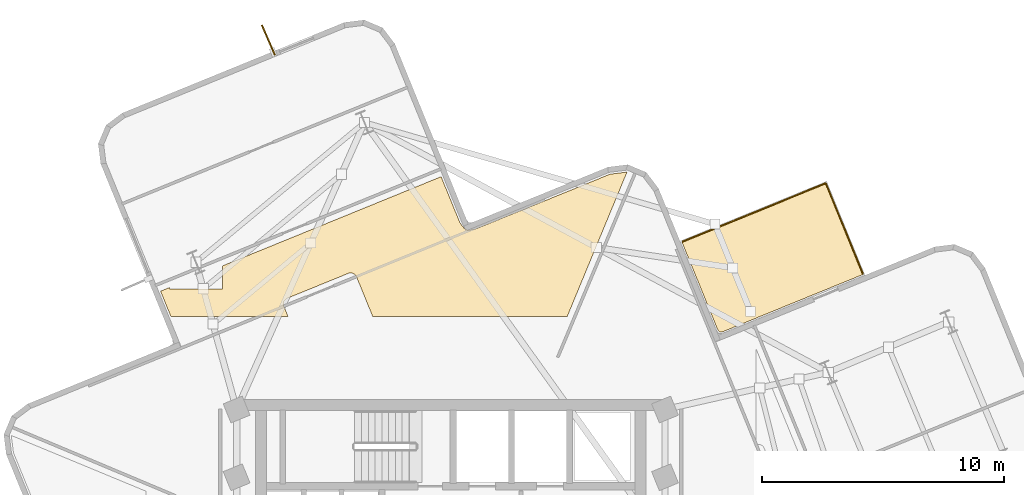
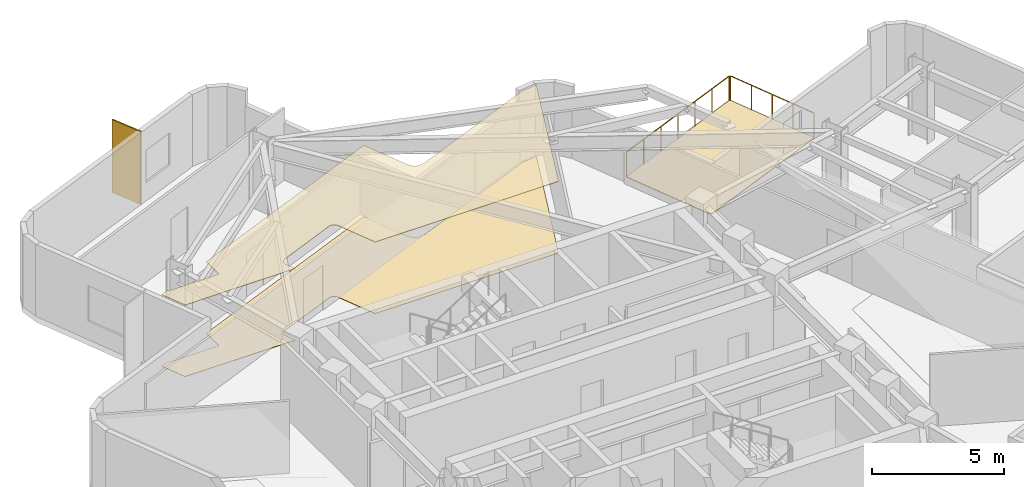
# One storey, part 8 of 8: 3 coverings, 2 railings, 1 shading device.
"""IFC4 building model written with IfcOpenShell, lengths in metres."""

from ifc_helpers import new_model, si_unit, direction, frame, origin, origin_2d, place, context, subcontext, project, spatial, polyline, rectangle, circle, outline, extrude, material, layer, layer_set, type_object, element, save


model = new_model("IFC4")

# Units and contexts
model_context = context("Model", 3, precision=1e-05, world=origin(), true_north=direction((0.0, 1.0)))
body_context = subcontext(model_context, "Body", "Model", "MODEL_VIEW")
ifc_project = project(units=[si_unit("LENGTHUNIT", "METRE"), si_unit("AREAUNIT", "SQUARE_METRE"), si_unit("VOLUMEUNIT", "CUBIC_METRE"), si_unit("PLANEANGLEUNIT", "RADIAN"), si_unit("MASSUNIT", "GRAM", prefix="KILO")], contexts=[model_context])

# Site, building, storey
site_placement = place(None, origin())
site = spatial("IfcSite", under=ifc_project, at=site_placement, CompositionType="ELEMENT")
building_placement = place(site_placement, origin())
building = spatial("IfcBuilding", under=site, at=building_placement, Name="Solmarez Civic Tower", CompositionType="ELEMENT")
storey_placement = place(building_placement, frame((0.0, 0.0, 173.8798828125)))
storey = spatial("IfcBuildingStorey", under=building, at=storey_placement, Name="L46", CompositionType="ELEMENT", Elevation=173.8798828125)

# Coverings
ifc_material_1 = material(Name="Perforated Mineral-Fibre Acoustic Ceiling")
ifc_layer_1 = layer(ifc_material_1, 0.02490234375)
ifc_layer_set_1 = layer_set([ifc_layer_1], Name="Perforated Mineral-Fibre Acoustic Ceiling")
covering_type_1 = type_object("IfcCoveringType", Name="COV-CEIL-ACOUSTIC", PredefinedType="CEILING", material=ifc_layer_set_1)
covering_1_placement = place(storey_placement, frame((0.0, 0.0, 3.315185546875)))
element("IfcCovering", 1, at=covering_1_placement, inside=storey, type_object=covering_type_1, Name="L46 Suspended Acoustic Ceiling 1", PredefinedType="CEILING", context=body_context, shape_type="SweptSolid", body=[
    extrude(outline(polyline([(-11.991943359375, 13.239990234375), (-11.568115234375, 12.199951171875), (-6.72802734375, 12.199951171875), (-6.89208984375, 12.60107421875), (-6.89404296875, 12.60595703125), (-6.89990234375, 12.623046875), (-6.905029296875, 12.639892578125), (-6.906982421875, 12.64892578125), (-6.910888671875, 12.673095703125), (-6.912109375, 12.697021484375), (-6.912109375, 12.70703125), (-6.910888671875, 12.72900390625), (-6.907958984375, 12.75), (-6.906982421875, 12.7548828125), (-6.89990234375, 12.781982421875), (-6.89697265625, 12.791015625), (-6.89208984375, 12.802978515625), (-6.889892578125, 12.80810546875), (-6.882080078125, 12.824951171875), (-6.873046875, 12.842041015625), (-6.862060546875, 12.85791015625), (-6.85595703125, 12.865966796875), (-6.846923828125, 12.876953125), (-6.841064453125, 12.884033203125), (-6.823974609375, 12.902099609375), (-6.805908203125, 12.9169921875), (-6.802001953125, 12.919921875), (-6.781005859375, 12.93408203125), (-6.759033203125, 12.945068359375), (-6.75, 12.948974609375), (-6.743896484375, 12.951904296875), (-4.242919921875, 13.971923828125), (-4.238037109375, 13.97412109375), (-4.218994140625, 13.98095703125), (-4.198974609375, 13.986083984375), (-4.194091796875, 13.987060546875), (-4.175048828125, 13.989990234375), (-4.166015625, 13.990966796875), (-4.14208984375, 13.991943359375), (-4.136962890625, 13.991943359375), (-4.114990234375, 13.990966796875), (-4.093994140625, 13.988037109375), (-4.089111328125, 13.987060546875), (-4.06201171875, 13.97998046875), (-4.052978515625, 13.97705078125), (-4.041015625, 13.971923828125), (-4.035888671875, 13.969970703125), (-4.01904296875, 13.9619140625), (-4.001953125, 13.952880859375), (-3.986083984375, 13.94189453125), (-3.97802734375, 13.93603515625), (-3.97412109375, 13.93310546875), (-3.9560546875, 13.91796875), (-3.93896484375, 13.89990234375), (-3.93310546875, 13.89306640625), (-3.919921875, 13.8759765625), (-3.908935546875, 13.85791015625), (-3.89892578125, 13.839111328125), (-3.89501953125, 13.830078125), (-3.89208984375, 13.823974609375), (-3.22900390625, 12.199951171875), (4.81201171875, 12.199951171875), (7.278076171875, 18.157958984375), (7.27197265625, 18.159912109375), (6.569091796875, 18.071044921875), (1.032958984375, 15.81201171875), (1.010009765625, 15.803955078125), (1.0029296875, 15.802001953125), (0.99609375, 15.800048828125), (0.967041015625, 15.7939453125), (0.95703125, 15.79296875), (0.787109375, 15.77099609375), (0.759033203125, 15.76904296875), (0.742919921875, 15.76904296875), (0.7119140625, 15.77099609375), (0.70703125, 15.77197265625), (0.700927734375, 15.77294921875), (0.68408203125, 15.77490234375), (0.66796875, 15.779052734375), (0.660888671875, 15.781005859375), (0.634033203125, 15.791015625), (0.626953125, 15.7939453125), (0.60498046875, 15.804931640625), (0.597900390625, 15.80908203125), (0.5849609375, 15.81689453125), (0.5791015625, 15.821044921875), (0.56005859375, 15.8349609375), (0.553955078125, 15.840087890625), (0.5390625, 15.85302734375), (0.533935546875, 15.85791015625), (0.52099609375, 15.873046875), (0.51611328125, 15.87890625), (0.510009765625, 15.886962890625), (0.406005859375, 16.02392578125), (0.39794921875, 16.034912109375), (0.39404296875, 16.041015625), (0.3798828125, 16.06494140625), (0.3740234375, 16.076904296875), (0.366943359375, 16.092041015625), (-0.39990234375, 17.970947265625), (-9.43310546875, 14.284912109375), (-9.43310546875, 13.3330078125), (-11.633056640625, 13.3330078125), (-11.633056640625, 13.386962890625), (-11.991943359375, 13.239990234375)])), origin(), (0.0, 0.0, 1.0), 0.02490234375),
])
ifc_material_2 = material(Name="Polished Tropical Stone Terrazzo Flooring", Category="masonry")
ifc_layer_2 = layer(ifc_material_2, 0.02001953125)
ifc_layer_set_2 = layer_set([ifc_layer_2], Name="Polished Tropical Stone Terrazzo Flooring")
covering_type_2 = type_object("IfcCoveringType", Name="COV-FLOOR-TERRAZZO", PredefinedType="FLOORING", material=ifc_layer_set_2)
covering_2_placement = place(storey_placement, origin())
element("IfcCovering", 2, at=covering_2_placement, inside=storey, type_object=covering_type_2, Name="L46 Terrazzo Floor Finish 1", PredefinedType="FLOORING", context=body_context, shape_type="SweptSolid", body=[
    extrude(outline(polyline([(-11.991943359375, 13.239990234375), (-11.568115234375, 12.199951171875), (-6.72802734375, 12.199951171875), (-6.89208984375, 12.60107421875), (-6.89404296875, 12.60595703125), (-6.89990234375, 12.623046875), (-6.905029296875, 12.639892578125), (-6.906982421875, 12.64892578125), (-6.910888671875, 12.673095703125), (-6.912109375, 12.697021484375), (-6.912109375, 12.70703125), (-6.910888671875, 12.72900390625), (-6.907958984375, 12.75), (-6.906982421875, 12.7548828125), (-6.89990234375, 12.781982421875), (-6.89697265625, 12.791015625), (-6.89208984375, 12.802978515625), (-6.889892578125, 12.80810546875), (-6.882080078125, 12.824951171875), (-6.873046875, 12.842041015625), (-6.862060546875, 12.85791015625), (-6.85595703125, 12.865966796875), (-6.846923828125, 12.876953125), (-6.841064453125, 12.884033203125), (-6.823974609375, 12.902099609375), (-6.805908203125, 12.9169921875), (-6.802001953125, 12.919921875), (-6.781005859375, 12.93408203125), (-6.759033203125, 12.945068359375), (-6.75, 12.948974609375), (-6.743896484375, 12.951904296875), (-4.242919921875, 13.971923828125), (-4.238037109375, 13.97412109375), (-4.218994140625, 13.98095703125), (-4.198974609375, 13.986083984375), (-4.194091796875, 13.987060546875), (-4.175048828125, 13.989990234375), (-4.166015625, 13.990966796875), (-4.14208984375, 13.991943359375), (-4.136962890625, 13.991943359375), (-4.114990234375, 13.990966796875), (-4.093994140625, 13.988037109375), (-4.089111328125, 13.987060546875), (-4.06201171875, 13.97998046875), (-4.052978515625, 13.97705078125), (-4.041015625, 13.971923828125), (-4.035888671875, 13.969970703125), (-4.01904296875, 13.9619140625), (-4.001953125, 13.952880859375), (-3.986083984375, 13.94189453125), (-3.97802734375, 13.93603515625), (-3.97412109375, 13.93310546875), (-3.9560546875, 13.91796875), (-3.93896484375, 13.89990234375), (-3.93310546875, 13.89306640625), (-3.919921875, 13.8759765625), (-3.908935546875, 13.85791015625), (-3.89892578125, 13.839111328125), (-3.89501953125, 13.830078125), (-3.89208984375, 13.823974609375), (-3.22900390625, 12.199951171875), (4.81201171875, 12.199951171875), (7.278076171875, 18.157958984375), (7.27197265625, 18.159912109375), (6.569091796875, 18.071044921875), (1.032958984375, 15.81201171875), (1.010009765625, 15.803955078125), (1.0029296875, 15.802001953125), (0.99609375, 15.800048828125), (0.967041015625, 15.7939453125), (0.95703125, 15.79296875), (0.787109375, 15.77099609375), (0.759033203125, 15.76904296875), (0.742919921875, 15.76904296875), (0.7119140625, 15.77099609375), (0.70703125, 15.77197265625), (0.700927734375, 15.77294921875), (0.68408203125, 15.77490234375), (0.66796875, 15.779052734375), (0.660888671875, 15.781005859375), (0.634033203125, 15.791015625), (0.626953125, 15.7939453125), (0.60498046875, 15.804931640625), (0.597900390625, 15.80908203125), (0.5849609375, 15.81689453125), (0.5791015625, 15.821044921875), (0.56005859375, 15.8349609375), (0.553955078125, 15.840087890625), (0.5390625, 15.85302734375), (0.533935546875, 15.85791015625), (0.52099609375, 15.873046875), (0.51611328125, 15.87890625), (0.510009765625, 15.886962890625), (0.406005859375, 16.02392578125), (0.39794921875, 16.034912109375), (0.39404296875, 16.041015625), (0.3798828125, 16.06494140625), (0.3740234375, 16.076904296875), (0.366943359375, 16.092041015625), (-0.39990234375, 17.970947265625), (-9.43310546875, 14.284912109375), (-9.43310546875, 13.3330078125), (-11.633056640625, 13.3330078125), (-11.633056640625, 13.386962890625), (-11.991943359375, 13.239990234375)])), origin(), (0.0, 0.0, 1.0), 0.02001953125),
])
ifc_material_3 = material(Name="Elastomeric Terrace Waterproofing Membrane")
ifc_layer_3 = layer(ifc_material_3, 0.030029296875)
ifc_layer_set_3 = layer_set([ifc_layer_3], Name="Elastomeric Terrace Waterproofing Membrane")
covering_type_3 = type_object("IfcCoveringType", Name="COV-MEMBRANE-ROOF", PredefinedType="ROOFING", material=ifc_layer_set_3)
covering_3_placement = place(storey_placement, origin())
element("IfcCovering", 3, at=covering_3_placement, inside=storey, type_object=covering_type_3, Name="L46 Balcony Waterproofing NE", PredefinedType="ROOFING", context=body_context, shape_type="SweptSolid", body=[
    extrude(outline(polyline([(11.028076171875, 11.64892578125), (11.10595703125, 11.547119140625), (11.23291015625, 11.56298828125), (17.0390625, 13.93310546875), (15.498046875, 17.708984375), (9.5458984375, 15.280029296875), (11.028076171875, 11.64892578125)])), origin(), (0.0, 0.0, 1.0), 0.030029296875),
])

# Shading device
ifc_material_4 = material(Name="Bronze Anodised Aluminium EN AW-6063 T6", Category="aluminium")
ifc_layer_4 = layer(ifc_material_4, 0.06005859375)
ifc_layer_set_4 = layer_set([ifc_layer_4], Name="Bronze Anodised Aluminium EN AW-6063 T6")
shading_device_type = type_object("IfcShadingDeviceType", Name="FIN-BRONZE-Z34", PredefinedType="USERDEFINED", material=ifc_layer_set_4)
shading_device_placement = place(storey_placement, frame((-7.5390625, 23.616943359375, -0.039794921875), z_axis=(0.0, 0.0, 1.0), x_axis=(-0.399645198517, 0.916669905311, 0.0)))
element("IfcShadingDevice", 4, at=shading_device_placement, inside=storey, type_object=shading_device_type, Name="L46 Anodised Bronze Solar Fin FIN-L46-04", ObjectType="FIN", PredefinedType="USERDEFINED", context=body_context, shape_type="SweptSolid", body=[
    extrude(rectangle(XDim=1.35009765625, YDim=0.06005859375, at=origin_2d()), origin(), (0.0, 0.0, 1.0), 3.3798828125),
])

# Railings
ifc_material_5 = material(Name="Bronze Anodised Aluminium and Laminated Safety Glass Balustrade", Category="aluminium")
railing_type = type_object("IfcRailingType", Name="GUARD-TERR-1180", PredefinedType="BALUSTRADE", material=ifc_material_5)
railing_1_placement = place(storey_placement, frame((17.02587890625, 13.965087890625, 0.0)))
element("IfcRailing", 5, at=railing_1_placement, inside=storey, type_object=railing_type, Name="L46 Safety Balustrade GRD-BALC-L46-NE-1", PredefinedType="BALUSTRADE", context=body_context, shape_type="SweptSolid", body=[
    extrude(circle(Radius=0.02392578125, at=origin_2d()), frame((0.0, 0.0, 1.15576171875), z_axis=(-0.377859711633, 0.92586286151, 0.0), x_axis=(-0.92586286151, -0.377859711633, 0.0)), (0.0, 0.0, 1.0), 4.009033203125),
    extrude(circle(Radius=0.02099609375, at=origin_2d()), origin(), (0.0, 0.0, 1.0), 1.1318359375),
    extrude(circle(Radius=0.02099609375, at=origin_2d()), frame((-0.378662109375, 0.927978515625, 0.0)), (0.0, 0.0, 1.0), 1.1318359375),
    extrude(circle(Radius=0.02099609375, at=origin_2d()), frame((-0.75732421875, 1.85595703125, 0.0)), (0.0, 0.0, 1.0), 1.1318359375),
    extrude(circle(Radius=0.02099609375, at=origin_2d()), frame((-1.13623046875, 2.783935546875, 0.0)), (0.0, 0.0, 1.0), 1.1318359375),
    extrude(circle(Radius=0.02099609375, at=origin_2d()), frame((-1.514892578125, 3.7119140625, 0.0)), (0.0, 0.0, 1.0), 1.1318359375),
])
railing_2_placement = place(storey_placement, frame((15.466064453125, 17.696044921875, 0.0)))
element("IfcRailing", 6, at=railing_2_placement, inside=storey, type_object=railing_type, Name="L46 Safety Balustrade GRD-BALC-L46-NE-2", PredefinedType="BALUSTRADE", context=body_context, shape_type="SweptSolid", body=[
    extrude(circle(Radius=0.02392578125, at=origin_2d()), frame((0.0, 0.0, 1.15576171875), z_axis=(-0.925862170743, -0.377861404205, 0.0), x_axis=(0.377861404205, -0.925862170743, 0.0)), (0.0, 0.0, 1.0), 6.359619140625),
    extrude(circle(Radius=0.02099609375, at=origin_2d()), origin(), (0.0, 0.0, 1.0), 1.1318359375),
    extrude(circle(Radius=0.02099609375, at=origin_2d()), frame((-0.9814453125, -0.400390625, 0.0)), (0.0, 0.0, 1.0), 1.1318359375),
    extrude(circle(Radius=0.02099609375, at=origin_2d()), frame((-1.962646484375, -0.801025390625, 0.0)), (0.0, 0.0, 1.0), 1.1318359375),
    extrude(circle(Radius=0.02099609375, at=origin_2d()), frame((-2.944091796875, -1.20166015625, 0.0)), (0.0, 0.0, 1.0), 1.1318359375),
    extrude(circle(Radius=0.02099609375, at=origin_2d()), frame((-3.925537109375, -1.60205078125, 0.0)), (0.0, 0.0, 1.0), 1.1318359375),
    extrude(circle(Radius=0.02099609375, at=origin_2d()), frame((-4.90673828125, -2.00244140625, 0.0)), (0.0, 0.0, 1.0), 1.1318359375),
    extrude(circle(Radius=0.02099609375, at=origin_2d()), frame((-5.88818359375, -2.403076171875, 0.0)), (0.0, 0.0, 1.0), 1.1318359375),
])

save(model, "model.ifc")
